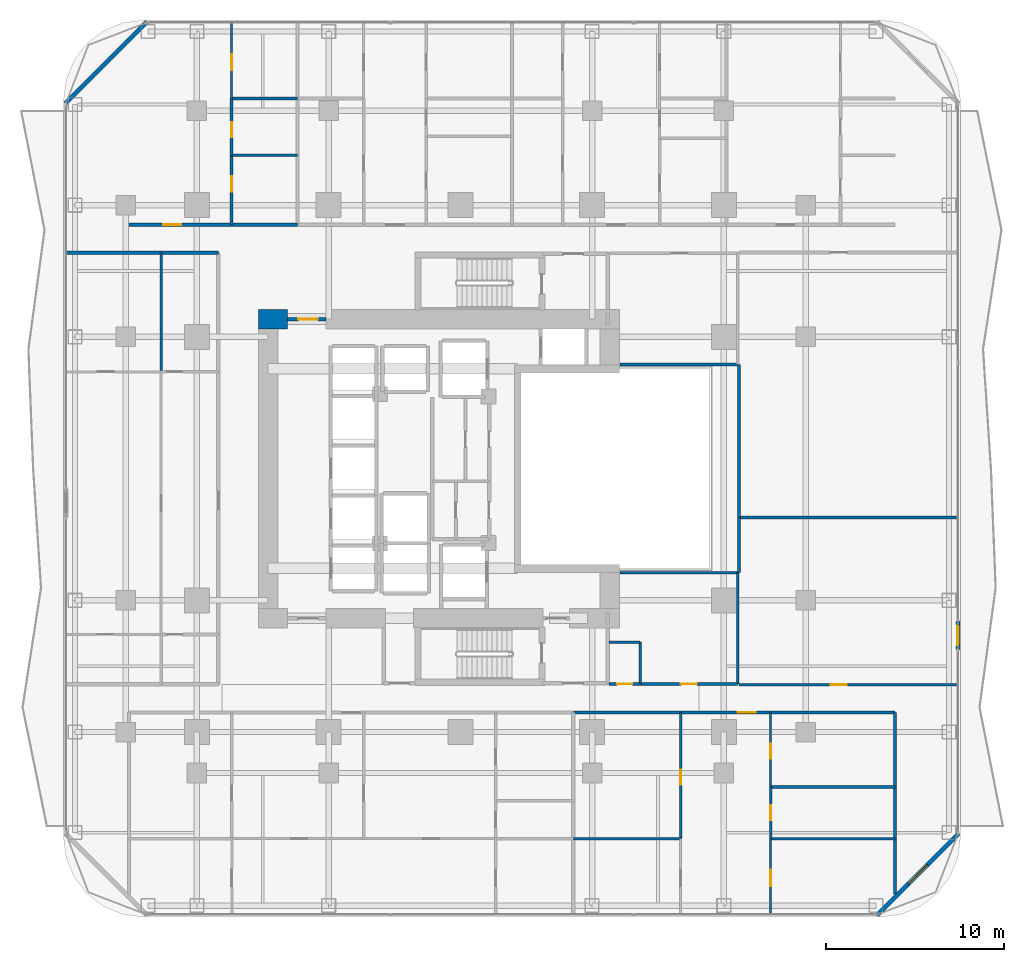
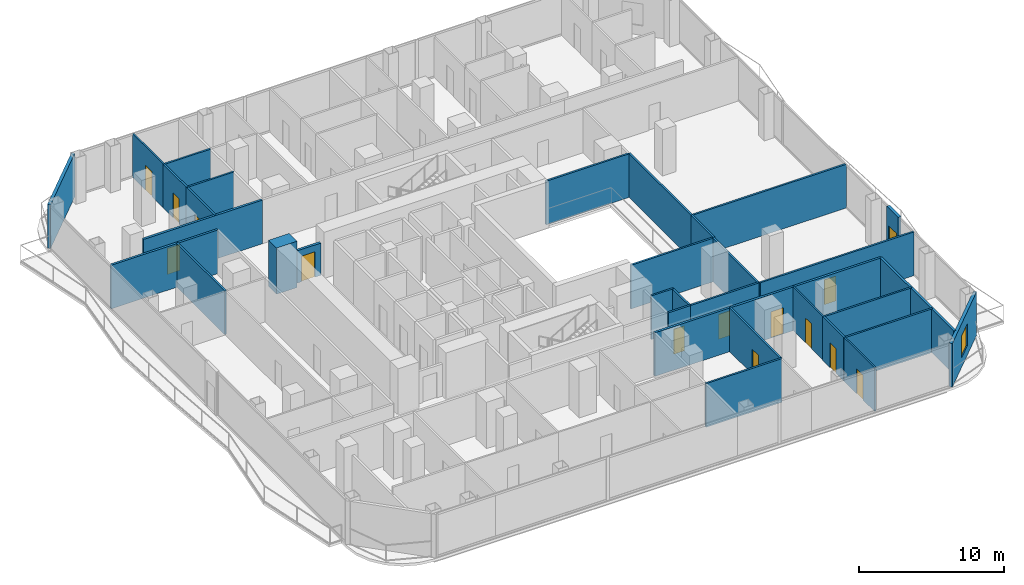
# One storey, part 22 of 27: 33 walls, 14 doors, 1 window, 15 openings.
"""IFC4 building model written with IfcOpenShell, lengths in metres."""

from ifc_helpers import new_model, si_unit, direction, frame, frame_2d, origin, place, context, subcontext, project, spatial, rectangle, extrude, material, layer, layer_set, type_object, element, fill, save


model = new_model("IFC4")

# Units and contexts
model_context = context("Model", 3, precision=1e-05, world=origin(), true_north=direction((0.0, 1.0)))
body_context = subcontext(model_context, "Body", "Model", "MODEL_VIEW")
ifc_project = project(units=[si_unit("LENGTHUNIT", "METRE"), si_unit("AREAUNIT", "SQUARE_METRE"), si_unit("VOLUMEUNIT", "CUBIC_METRE"), si_unit("PLANEANGLEUNIT", "RADIAN"), si_unit("MASSUNIT", "GRAM", prefix="KILO")], contexts=[model_context])

# Site, building, storey
site_placement = place(None, origin())
site = spatial("IfcSite", under=ifc_project, at=site_placement, CompositionType="ELEMENT")
building_placement = place(site_placement, origin())
building = spatial("IfcBuilding", under=site, at=building_placement, Name="Khorvyn Point Tower", CompositionType="ELEMENT")
storey_placement = place(building_placement, frame((0.0, 0.0, 46.199951171875)))
storey = spatial("IfcBuildingStorey", under=building, at=storey_placement, Name="L12", CompositionType="ELEMENT", Elevation=46.199951171875)

# Wall, opening, door
ifc_material_1 = material(Name="Double acoustic gypsum on twin steel stud", Category="steel")
ifc_layer_1 = layer(ifc_material_1, 0.179931640625)
ifc_layer_set_1 = layer_set([ifc_layer_1], Name="Acoustic Double-Stud Apartment Demising Wall 180")
wall_type_1 = type_object("IfcWallType", Name="Acoustic Double-Stud Apartment Demising Wall 180", PredefinedType="PARTITIONING", material=ifc_layer_set_1)
wall_1_placement = place(storey_placement, frame((-18.6201171875, 13.699951171875, 0.0), z_axis=(0.0, 0.0, 1.0), x_axis=(1.0, 0.0, 0.0)))
wall_1 = element("IfcWall", 1, at=wall_1_placement, inside=storey, type_object=wall_type_1, Name="Wall", PredefinedType="PARTITIONING", context=body_context, shape_type="SweptSolid", body=[
    extrude(rectangle(XDim=9.46923828125, YDim=0.179931640625, at=frame_2d((4.734619140625, 0.0))), origin(), (0.0, 0.0, 1.0), 3.679931640625),
])
opening_1_placement = place(wall_1_placement, frame((1.931396484375, 0.0, 0.0)))
opening_1 = element("IfcOpeningElement", 2, at=opening_1_placement, cuts=wall_1, Name="Opening ID-AP60", PredefinedType="OPENING", context=body_context, shape_type="SweptSolid", body=[
    extrude(rectangle(XDim=1.0, YDim=2.199951171875, at=frame_2d((0.5, 1.10009765625))), frame((0.0, 0.099853515625, 0.0), z_axis=(0.0, -1.0, 0.0), x_axis=(1.0, 0.0, 0.0)), (0.0, 0.0, 1.0), 0.199951171875),
])
ifc_material_2 = material(Name="Engineered hardwood fire-rated leaf", Category="wood")
door_type_1 = type_object("IfcDoorType", Name="Acoustic Solid-Core Timber Apartment Entrance Door 1000x2200", OperationType="NOTDEFINED", PredefinedType="DOOR", material=ifc_material_2)
door_1_placement = place(opening_1_placement, origin())
door_1 = element("IfcDoor", 3, at=door_1_placement, inside=storey, type_object=door_type_1, Name="Door", OperationType="SINGLE_SWING_LEFT", OverallHeight=2.199951171875, OverallWidth=1.0, PredefinedType="DOOR", context=body_context, shape_type="SweptSolid", body=[
    extrude(rectangle(XDim=1.0, YDim=2.199951171875, at=frame_2d((0.5, 1.10009765625))), frame((0.0, 0.02490234375, 0.0), z_axis=(0.0, -1.0, 0.0), x_axis=(1.0, 0.0, 0.0)), (0.0, 0.0, 1.0), 0.050048828125),
])
fill(opening_1, door_1)

wall_2_placement = place(storey_placement, frame((6.343017578125, -13.699951171875, 0.0), z_axis=(0.0, 0.0, 1.0), x_axis=(1.0, 0.0, 0.0)))
wall_2 = element("IfcWall", 4, at=wall_2_placement, inside=storey, type_object=wall_type_1, Name="Wall", PredefinedType="PARTITIONING", context=body_context, shape_type="SweptSolid", body=[
    extrude(rectangle(XDim=18.076904296875, YDim=0.179931640625, at=frame_2d((9.03857421875, 0.0))), origin(), (0.0, 0.0, 1.0), 3.679931640625),
])
opening_2_placement = place(wall_2_placement, frame((9.251708984375, 0.0, 0.0)))
opening_2 = element("IfcOpeningElement", 5, at=opening_2_placement, cuts=wall_2, Name="Opening ID-AP60", PredefinedType="OPENING", context=body_context, shape_type="SweptSolid", body=[
    extrude(rectangle(XDim=1.0, YDim=2.199951171875, at=frame_2d((0.5, 1.10009765625))), frame((0.0, 0.099853515625, 0.0), z_axis=(0.0, -1.0, 0.0), x_axis=(1.0, 0.0, 0.0)), (0.0, 0.0, 1.0), 0.199951171875),
])
door_2_placement = place(opening_2_placement, origin())
door_2 = element("IfcDoor", 6, at=door_2_placement, inside=storey, type_object=door_type_1, Name="Door", OperationType="SINGLE_SWING_RIGHT", OverallHeight=2.199951171875, OverallWidth=1.0, PredefinedType="DOOR", context=body_context, shape_type="SweptSolid", body=[
    extrude(rectangle(XDim=1.0, YDim=2.199951171875, at=frame_2d((0.5, 1.10009765625))), frame((0.0, 0.02490234375, 0.0), z_axis=(0.0, -1.0, 0.0), x_axis=(1.0, 0.0, 0.0)), (0.0, 0.0, 1.0), 0.050048828125),
])
fill(opening_2, door_2)

# Walls
wall_3_placement = place(storey_placement, frame((24.419921875, -23.909912109375, 0.0), z_axis=(0.0, 0.0, 1.0), x_axis=(0.0, 1.0, 0.0)))
element("IfcWall", 7, at=wall_3_placement, inside=storey, type_object=wall_type_1, Name="Wall", PredefinedType="PARTITIONING", context=body_context, shape_type="SweptSolid", body=[
    extrude(rectangle(XDim=10.2099609375, YDim=0.179931640625, at=frame_2d((5.10498046875, 0.0))), origin(), (0.0, 0.0, 1.0), 3.679931640625),
])
wall_4_placement = place(storey_placement, frame((-22.1298828125, 12.1201171875, 0.0), z_axis=(0.0, 0.0, 1.0), x_axis=(1.0, 0.0, 0.0)))
element("IfcWall", 8, at=wall_4_placement, inside=storey, type_object=wall_type_1, Name="Wall", PredefinedType="PARTITIONING", context=body_context, shape_type="SweptSolid", body=[
    extrude(rectangle(XDim=8.52978515625, YDim=0.179931640625, at=frame_2d((4.264892578125, 0.0))), origin(), (0.0, 0.0, 1.0), 3.679931640625),
])

# Wall, opening, door
ifc_material_3 = material(Name="Pale anodised aluminium rainscreen on steel stud", Category="steel")
ifc_layer_2 = layer(ifc_material_3, 0.239990234375)
ifc_layer_set_2 = layer_set([ifc_layer_2], Name="Anodised Aluminium Insulated Corner Spandrel Wall 240")
wall_type_2 = type_object("IfcWallType", Name="Anodised Aluminium Insulated Corner Spandrel Wall 240", PredefinedType="SOLIDWALL", material=ifc_layer_set_2)
wall_5_placement = place(storey_placement, frame((27.949951171875, -8.576904296875, 0.0), z_axis=(0.0, 0.0, 1.0), x_axis=(0.0, -1.0, 0.0)))
wall_5 = element("IfcWall", 9, at=wall_5_placement, inside=storey, type_object=wall_type_2, Name="L12 East Outdoor Threshold Wall", PredefinedType="SOLIDWALL", context=body_context, shape_type="SweptSolid", body=[
    extrude(rectangle(XDim=1.580078125, YDim=0.239990234375, at=frame_2d((0.7900390625, 0.0))), origin(), (0.0, 0.0, 1.0), 3.679931640625),
])
opening_3_placement = place(wall_5_placement, frame((0.239990234375, 0.0, 0.0)))
opening_3 = element("IfcOpeningElement", 10, at=opening_3_placement, cuts=wall_5, Name="Opening BD-1122", PredefinedType="OPENING", context=body_context, shape_type="SweptSolid", body=[
    extrude(rectangle(XDim=1.10009765625, YDim=2.199951171875, at=frame_2d((0.550048828125, 1.10009765625))), frame((0.0, 0.1298828125, 0.0), z_axis=(0.0, -1.0, 0.0), x_axis=(1.0, 0.0, 0.0)), (0.0, 0.0, 1.0), 0.260009765625),
])
ifc_material_4 = material(Name="Anodised aluminium 6063-T6 and laminated Low-E glass", Category="aluminium")
door_type_2 = type_object("IfcDoorType", Name="Glazed Balcony and Terrace Threshold Door 1100x2200", OperationType="NOTDEFINED", PredefinedType="DOOR", material=ifc_material_4)
door_3_placement = place(opening_3_placement, origin())
door_3 = element("IfcDoor", 11, at=door_3_placement, inside=storey, type_object=door_type_2, Name="L12 East Glazed Balcony Outdoor Door", OperationType="SINGLE_SWING_LEFT", OverallHeight=2.199951171875, OverallWidth=1.10009765625, PredefinedType="DOOR", context=body_context, shape_type="SweptSolid", body=[
    extrude(rectangle(XDim=1.10009765625, YDim=2.199951171875, at=frame_2d((0.550048828125, 1.10009765625))), frame((0.0, 0.02490234375, 0.0), z_axis=(0.0, -1.0, 0.0), x_axis=(1.0, 0.0, 0.0)), (0.0, 0.0, 1.0), 0.050048828125),
])
fill(opening_3, door_3)

# Wall
wall_6_placement = place(storey_placement, frame((-22.1923828125, 20.507568359375, 0.0), z_axis=(0.0, 0.0, 1.0), x_axis=(0.707106781187, 0.707106781187, 0.0)))
element("IfcWall", 12, at=wall_6_placement, inside=storey, type_object=wall_type_2, Name="L12 Rounded Corner Wall NW", PredefinedType="SOLIDWALL", context=body_context, shape_type="SweptSolid", body=[
    extrude(rectangle(XDim=6.48388671875, YDim=0.239990234375, at=frame_2d((3.241943359375, 0.0))), origin(), (0.0, 0.0, 1.0), 3.679931640625),
])

# Wall, opening, window
wall_7_placement = place(storey_placement, frame((27.992431640625, -20.507568359375, 0.0), z_axis=(0.0, 0.0, 1.0), x_axis=(-0.707106781187, -0.707106781187, 0.0)))
wall_7 = element("IfcWall", 13, at=wall_7_placement, inside=storey, type_object=wall_type_2, Name="L12 Rounded Corner Wall SE", PredefinedType="SOLIDWALL", context=body_context, shape_type="SweptSolid", body=[
    extrude(rectangle(XDim=6.48388671875, YDim=0.239990234375, at=frame_2d((3.241943359375, 0.0))), origin(), (0.0, 0.0, 1.0), 3.679931640625),
])
opening_4_placement = place(wall_7_placement, frame((2.491943359375, 0.0, 0.800048828125)))
opening_4 = element("IfcOpeningElement", 14, at=opening_4_placement, cuts=wall_7, Name="Opening WN-1518", PredefinedType="OPENING", context=body_context, shape_type="SweptSolid", body=[
    extrude(rectangle(XDim=1.5, YDim=1.85009765625, at=frame_2d((0.75, 0.925048828125))), frame((0.0, 0.1298828125, 0.0), z_axis=(0.0, -1.0, 0.0), x_axis=(1.0, 0.0, 0.0)), (0.0, 0.0, 1.0), 0.260009765625),
])
window_type = type_object("IfcWindowType", Name="Anodised Aluminium Rounded-Corner Panoramic Window 1500x1850", PartitioningType="SINGLE_PANEL", PredefinedType="WINDOW", material=ifc_material_4)
window_placement = place(opening_4_placement, origin())
window = element("IfcWindow", 15, at=window_placement, inside=storey, type_object=window_type, Name="L12 Corner Panoramic Window SE", OverallHeight=1.85009765625, OverallWidth=1.5, PartitioningType="SINGLE_PANEL", PredefinedType="WINDOW", context=body_context, shape_type="SweptSolid", body=[
    extrude(rectangle(XDim=1.5, YDim=1.85009765625, at=frame_2d((0.75, 0.925048828125))), frame((0.0, 0.030029296875, 0.0), z_axis=(0.0, -1.0, 0.0), x_axis=(1.0, 0.0, 0.0)), (0.0, 0.0, 1.0), 0.06005859375),
])
fill(opening_4, window)

# Wall, opening, door
ifc_material_5 = material(Name="Concrete C40/50", Category="concrete")
ifc_layer_3 = layer(ifc_material_5, 0.199951171875)
ifc_layer_set_3 = layer_set([ifc_layer_3], Name="Concrete C40/50 Fire-Lobby Compartment Wall 200")
wall_type_3 = type_object("IfcWallType", Name="Concrete C40/50 Fire-Lobby Compartment Wall 200", PredefinedType="SOLIDWALL", material=ifc_layer_set_3)
wall_8_placement = place(storey_placement, frame((-9.699951171875, 8.39990234375, 0.0), z_axis=(0.0, 0.0, 1.0), x_axis=(1.0, 0.0, 0.0)))
wall_8 = element("IfcWall", 16, at=wall_8_placement, inside=storey, type_object=wall_type_3, Name="Wall", PredefinedType="SOLIDWALL", context=body_context, shape_type="SweptSolid", body=[
    extrude(rectangle(XDim=2.14990234375, YDim=0.199951171875, at=frame_2d((1.074951171875, 0.0))), origin(), (0.0, 0.0, 1.0), 2.719970703125),
])
opening_5_placement = place(wall_8_placement, frame((0.597900390625, 0.0, 0.0)))
opening_5 = element("IfcOpeningElement", 17, at=opening_5_placement, cuts=wall_8, Name="Opening ID-FL90", PredefinedType="OPENING", context=body_context, shape_type="SweptSolid", body=[
    extrude(rectangle(XDim=1.10009765625, YDim=2.14990234375, at=frame_2d((0.550048828125, 1.074951171875))), frame((0.0, 0.10986328125, 0.0), z_axis=(0.0, -1.0, 0.0), x_axis=(1.0, 0.0, 0.0)), (0.0, 0.0, 1.0), 0.219970703125),
])
ifc_material_6 = material(Name="Galvanised powder-coated steel", Category="steel")
door_type_3 = type_object("IfcDoorType", Name="Fire-Rated Steel Lobby and Stair Door 1100x2150", OperationType="NOTDEFINED", PredefinedType="DOOR", material=ifc_material_6)
door_4_placement = place(opening_5_placement, origin())
door_4 = element("IfcDoor", 18, at=door_4_placement, inside=storey, type_object=door_type_3, Name="Door", OperationType="SINGLE_SWING_RIGHT", OverallHeight=2.14990234375, OverallWidth=1.10009765625, PredefinedType="DOOR", context=body_context, shape_type="SweptSolid", body=[
    extrude(rectangle(XDim=1.10009765625, YDim=2.14990234375, at=frame_2d((0.550048828125, 1.074951171875))), frame((0.0, 0.02490234375, 0.0), z_axis=(0.0, -1.0, 0.0), x_axis=(1.0, 0.0, 0.0)), (0.0, 0.0, 1.0), 0.050048828125),
])
fill(opening_5, door_4)

# Wall
ifc_material_7 = material(Name="Concrete C50/60", Category="concrete")
ifc_layer_4 = layer(ifc_material_7, 1.10009765625)
ifc_layer_set_4 = layer_set([ifc_layer_4], Name="Concrete C50/60 Core Shear Wall 1100")
wall_type_4 = type_object("IfcWallType", Name="Concrete C50/60 Core Shear Wall 1100", PredefinedType="SHEAR", material=ifc_layer_set_4)
wall_9_placement = place(storey_placement, frame((-11.35009765625, 8.39990234375, 0.0), z_axis=(0.0, 0.0, 1.0), x_axis=(1.0, 0.0, 0.0)))
element("IfcWall", 19, at=wall_9_placement, inside=storey, type_object=wall_type_4, Name="Wall", PredefinedType="SHEAR", context=body_context, shape_type="SweptSolid", body=[
    extrude(rectangle(XDim=1.650146484375, YDim=1.10009765625, at=frame_2d((0.8251953125, 0.0))), origin(), (0.0, 0.0, 1.0), 3.900146484375),
])

# Wall, opening, door
ifc_material_8 = material(Name="Gypsum plasterboard on steel stud", Category="steel")
ifc_layer_5 = layer(ifc_material_8, 0.1201171875)
ifc_layer_set_5 = layer_set([ifc_layer_5], Name="Gypsum Acoustic Stud Room Partition Wall 120")
wall_type_5 = type_object("IfcWallType", Name="Gypsum Acoustic Stud Room Partition Wall 120", PredefinedType="PARTITIONING", material=ifc_layer_set_5)
wall_10_placement = place(storey_placement, frame((-12.85400390625, 20.7900390625, 0.0), z_axis=(0.0, 0.0, 1.0), x_axis=(0.0, 1.0, 0.0)))
wall_10 = element("IfcWall", 20, at=wall_10_placement, inside=storey, type_object=wall_type_5, Name="Wall", PredefinedType="PARTITIONING", context=body_context, shape_type="SweptSolid", body=[
    extrude(rectangle(XDim=4.239990234375, YDim=0.1201171875, at=frame_2d((2.1201171875, 0.0))), origin(), (0.0, 0.0, 1.0), 3.679931640625),
])
opening_6_placement = place(wall_10_placement, frame((1.581298828125, 0.0, 0.0)))
opening_6 = element("IfcOpeningElement", 21, at=opening_6_placement, cuts=wall_10, Name="Opening ID-RM90", PredefinedType="OPENING", context=body_context, shape_type="SweptSolid", body=[
    extrude(rectangle(XDim=0.89990234375, YDim=2.10009765625, at=frame_2d((0.449951171875, 1.050048828125))), frame((0.0, 0.070068359375, 0.0), z_axis=(0.0, -1.0, 0.0), x_axis=(1.0, 0.0, 0.0)), (0.0, 0.0, 1.0), 0.14013671875),
])
ifc_material_9 = material(Name="Engineered oak veneer timber", Category="wood")
door_type_4 = type_object("IfcDoorType", Name="Flush Engineered Timber Room Door 900x2100", OperationType="NOTDEFINED", PredefinedType="DOOR", material=ifc_material_9)
door_5_placement = place(opening_6_placement, origin())
door_5 = element("IfcDoor", 22, at=door_5_placement, inside=storey, type_object=door_type_4, Name="Door", OperationType="SINGLE_SWING_RIGHT", OverallHeight=2.10009765625, OverallWidth=0.89990234375, PredefinedType="DOOR", context=body_context, shape_type="SweptSolid", body=[
    extrude(rectangle(XDim=0.89990234375, YDim=2.10009765625, at=frame_2d((0.449951171875, 1.050048828125))), frame((0.0, 0.02490234375, 0.0), z_axis=(0.0, -1.0, 0.0), x_axis=(1.0, 0.0, 0.0)), (0.0, 0.0, 1.0), 0.050048828125),
])
fill(opening_6, door_5)

wall_11_placement = place(storey_placement, frame((17.427978515625, -17.883056640625, 0.0), z_axis=(0.0, 0.0, 1.0), x_axis=(0.0, 1.0, 0.0)))
wall_11 = element("IfcWall", 23, at=wall_11_placement, inside=storey, type_object=wall_type_5, Name="Wall", PredefinedType="PARTITIONING", context=body_context, shape_type="SweptSolid", body=[
    extrude(rectangle(XDim=4.18310546875, YDim=0.1201171875, at=frame_2d((2.091552734375, 0.0))), origin(), (0.0, 0.0, 1.0), 3.679931640625),
])
opening_7_placement = place(wall_11_placement, frame((1.577880859375, 0.0, 0.0)))
opening_7 = element("IfcOpeningElement", 24, at=opening_7_placement, cuts=wall_11, Name="Opening ID-WC85", PredefinedType="OPENING", context=body_context, shape_type="SweptSolid", body=[
    extrude(rectangle(XDim=0.85009765625, YDim=2.10009765625, at=frame_2d((0.425048828125, 1.050048828125))), frame((0.0, 0.070068359375, 0.0), z_axis=(0.0, -1.0, 0.0), x_axis=(1.0, 0.0, 0.0)), (0.0, 0.0, 1.0), 0.14013671875),
])
ifc_material_10 = material(Name="High-pressure laminate on moisture-resistant core", Category="wood")
door_type_5 = type_object("IfcDoorType", Name="Moisture-Resistant Accessible Washroom Door 850x2100", OperationType="NOTDEFINED", PredefinedType="DOOR", material=ifc_material_10)
door_6_placement = place(opening_7_placement, origin())
door_6 = element("IfcDoor", 25, at=door_6_placement, inside=storey, type_object=door_type_5, Name="Door", OperationType="SINGLE_SWING_RIGHT", OverallHeight=2.10009765625, OverallWidth=0.85009765625, PredefinedType="DOOR", context=body_context, shape_type="SweptSolid", body=[
    extrude(rectangle(XDim=0.85009765625, YDim=2.10009765625, at=frame_2d((0.425048828125, 1.050048828125))), frame((0.0, 0.02490234375, 0.0), z_axis=(0.0, -1.0, 0.0), x_axis=(1.0, 0.0, 0.0)), (0.0, 0.0, 1.0), 0.050048828125),
])
fill(opening_7, door_6)

wall_12_placement = place(storey_placement, frame((17.427978515625, -25.030029296875, 0.0), z_axis=(0.0, 0.0, 1.0), x_axis=(0.0, 1.0, 0.0)))
wall_12 = element("IfcWall", 26, at=wall_12_placement, inside=storey, type_object=wall_type_5, Name="Wall", PredefinedType="PARTITIONING", context=body_context, shape_type="SweptSolid", body=[
    extrude(rectangle(XDim=4.239990234375, YDim=0.1201171875, at=frame_2d((2.1201171875, 0.0))), origin(), (0.0, 0.0, 1.0), 3.679931640625),
])
opening_8_placement = place(wall_12_placement, frame((1.581298828125, 0.0, 0.0)))
opening_8 = element("IfcOpeningElement", 27, at=opening_8_placement, cuts=wall_12, Name="Opening ID-RM90", PredefinedType="OPENING", context=body_context, shape_type="SweptSolid", body=[
    extrude(rectangle(XDim=0.89990234375, YDim=2.10009765625, at=frame_2d((0.449951171875, 1.050048828125))), frame((0.0, 0.070068359375, 0.0), z_axis=(0.0, -1.0, 0.0), x_axis=(1.0, 0.0, 0.0)), (0.0, 0.0, 1.0), 0.14013671875),
])
door_7_placement = place(opening_8_placement, origin())
door_7 = element("IfcDoor", 28, at=door_7_placement, inside=storey, type_object=door_type_4, Name="Door", OperationType="SINGLE_SWING_LEFT", OverallHeight=2.10009765625, OverallWidth=0.89990234375, PredefinedType="DOOR", context=body_context, shape_type="SweptSolid", body=[
    extrude(rectangle(XDim=0.89990234375, YDim=2.10009765625, at=frame_2d((0.449951171875, 1.050048828125))), frame((0.0, 0.02490234375, 0.0), z_axis=(0.0, -1.0, 0.0), x_axis=(1.0, 0.0, 0.0)), (0.0, 0.0, 1.0), 0.050048828125),
])
fill(opening_8, door_7)

ifc_material_11 = material(Name="Moisture-resistant gypsum and cement board", Category="gypsum")
ifc_layer_6 = layer(ifc_material_11, 0.14990234375)
ifc_layer_set_6 = layer_set([ifc_layer_6], Name="Moisture-Resistant Wet-Room Partition Wall 150")
wall_type_6 = type_object("IfcWallType", Name="Moisture-Resistant Wet-Room Partition Wall 150", PredefinedType="PARTITIONING", material=ifc_layer_set_6)
wall_13_placement = place(storey_placement, frame((8.360107421875, -12.10009765625, 0.0), z_axis=(0.0, 0.0, 1.0), x_axis=(1.0, 0.0, 0.0)))
wall_13 = element("IfcWall", 29, at=wall_13_placement, inside=storey, type_object=wall_type_6, Name="Wall", PredefinedType="PARTITIONING", context=body_context, shape_type="SweptSolid", body=[
    extrude(rectangle(XDim=1.739990234375, YDim=0.14990234375, at=frame_2d((0.8701171875, 0.0))), origin(), (0.0, 0.0, 1.0), 3.679931640625),
])
opening_9_placement = place(wall_13_placement, frame((0.445068359375, 0.0, 0.0)))
opening_9 = element("IfcOpeningElement", 30, at=opening_9_placement, cuts=wall_13, Name="Opening ID-WC85", PredefinedType="OPENING", context=body_context, shape_type="SweptSolid", body=[
    extrude(rectangle(XDim=0.85009765625, YDim=2.10009765625, at=frame_2d((0.425048828125, 1.050048828125))), frame((0.0, 0.0849609375, 0.0), z_axis=(0.0, -1.0, 0.0), x_axis=(1.0, 0.0, 0.0)), (0.0, 0.0, 1.0), 0.169921875),
])
door_8_placement = place(opening_9_placement, origin())
door_8 = element("IfcDoor", 31, at=door_8_placement, inside=storey, type_object=door_type_5, Name="Door", OperationType="SINGLE_SWING_RIGHT", OverallHeight=2.10009765625, OverallWidth=0.85009765625, PredefinedType="DOOR", context=body_context, shape_type="SweptSolid", body=[
    extrude(rectangle(XDim=0.85009765625, YDim=2.10009765625, at=frame_2d((0.425048828125, 1.050048828125))), frame((0.0, 0.02490234375, 0.0), z_axis=(0.0, -1.0, 0.0), x_axis=(1.0, 0.0, 0.0)), (0.0, 0.0, 1.0), 0.050048828125),
])
fill(opening_9, door_8)

wall_14_placement = place(storey_placement, frame((10.10009765625, -12.10009765625, 0.0), z_axis=(0.0, 0.0, 1.0), x_axis=(1.0, 0.0, 0.0)))
wall_14 = element("IfcWall", 32, at=wall_14_placement, inside=storey, type_object=wall_type_6, Name="Wall", PredefinedType="PARTITIONING", context=body_context, shape_type="SweptSolid", body=[
    extrude(rectangle(XDim=5.47998046875, YDim=0.14990234375, at=frame_2d((2.739990234375, 0.0))), origin(), (0.0, 0.0, 1.0), 3.679931640625),
])
opening_10_placement = place(wall_14_placement, frame((2.2900390625, 0.0, 0.0)))
opening_10 = element("IfcOpeningElement", 33, at=opening_10_placement, cuts=wall_14, Name="Opening ID-RM90", PredefinedType="OPENING", context=body_context, shape_type="SweptSolid", body=[
    extrude(rectangle(XDim=0.89990234375, YDim=2.10009765625, at=frame_2d((0.449951171875, 1.050048828125))), frame((0.0, 0.0849609375, 0.0), z_axis=(0.0, -1.0, 0.0), x_axis=(1.0, 0.0, 0.0)), (0.0, 0.0, 1.0), 0.169921875),
])
door_9_placement = place(opening_10_placement, origin())
door_9 = element("IfcDoor", 34, at=door_9_placement, inside=storey, type_object=door_type_4, Name="Door", OperationType="SINGLE_SWING_LEFT", OverallHeight=2.10009765625, OverallWidth=0.89990234375, PredefinedType="DOOR", context=body_context, shape_type="SweptSolid", body=[
    extrude(rectangle(XDim=0.89990234375, YDim=2.10009765625, at=frame_2d((0.449951171875, 1.050048828125))), frame((0.0, 0.02490234375, 0.0), z_axis=(0.0, -1.0, 0.0), x_axis=(1.0, 0.0, 0.0)), (0.0, 0.0, 1.0), 0.050048828125),
])
fill(opening_10, door_9)

wall_15_placement = place(storey_placement, frame((-12.85400390625, 13.699951171875, 0.0), z_axis=(0.0, 0.0, 1.0), x_axis=(0.0, 1.0, 0.0)))
wall_15 = element("IfcWall", 35, at=wall_15_placement, inside=storey, type_object=wall_type_6, Name="Wall", PredefinedType="PARTITIONING", context=body_context, shape_type="SweptSolid", body=[
    extrude(rectangle(XDim=3.899169921875, YDim=0.14990234375, at=frame_2d((1.94970703125, 0.0))), origin(), (0.0, 0.0, 1.0), 3.679931640625),
])
opening_11_placement = place(wall_15_placement, frame((1.865478515625, 0.0, 0.0)))
opening_11 = element("IfcOpeningElement", 36, at=opening_11_placement, cuts=wall_15, Name="Opening ID-WC85", PredefinedType="OPENING", context=body_context, shape_type="SweptSolid", body=[
    extrude(rectangle(XDim=0.85009765625, YDim=2.10009765625, at=frame_2d((0.425048828125, 1.050048828125))), frame((0.0, 0.0849609375, 0.0), z_axis=(0.0, -1.0, 0.0), x_axis=(1.0, 0.0, 0.0)), (0.0, 0.0, 1.0), 0.169921875),
])
door_10_placement = place(opening_11_placement, origin())
door_10 = element("IfcDoor", 37, at=door_10_placement, inside=storey, type_object=door_type_5, Name="Door", OperationType="SINGLE_SWING_RIGHT", OverallHeight=2.10009765625, OverallWidth=0.85009765625, PredefinedType="DOOR", context=body_context, shape_type="SweptSolid", body=[
    extrude(rectangle(XDim=0.85009765625, YDim=2.10009765625, at=frame_2d((0.425048828125, 1.050048828125))), frame((0.0, 0.02490234375, 0.0), z_axis=(0.0, -1.0, 0.0), x_axis=(1.0, 0.0, 0.0)), (0.0, 0.0, 1.0), 0.050048828125),
])
fill(opening_11, door_10)

wall_16_placement = place(storey_placement, frame((-12.85400390625, 17.59912109375, 0.0), z_axis=(0.0, 0.0, 1.0), x_axis=(0.0, 1.0, 0.0)))
wall_16 = element("IfcWall", 38, at=wall_16_placement, inside=storey, type_object=wall_type_6, Name="Wall", PredefinedType="PARTITIONING", context=body_context, shape_type="SweptSolid", body=[
    extrude(rectangle(XDim=3.19091796875, YDim=0.14990234375, at=frame_2d((1.595458984375, 0.0))), origin(), (0.0, 0.0, 1.0), 3.679931640625),
])
opening_12_placement = place(wall_16_placement, frame((1.002197265625, 0.0, 0.0)))
opening_12 = element("IfcOpeningElement", 39, at=opening_12_placement, cuts=wall_16, Name="Opening ID-WC85", PredefinedType="OPENING", context=body_context, shape_type="SweptSolid", body=[
    extrude(rectangle(XDim=0.85009765625, YDim=2.10009765625, at=frame_2d((0.425048828125, 1.050048828125))), frame((0.0, 0.0849609375, 0.0), z_axis=(0.0, -1.0, 0.0), x_axis=(1.0, 0.0, 0.0)), (0.0, 0.0, 1.0), 0.169921875),
])
door_11_placement = place(opening_12_placement, origin())
door_11 = element("IfcDoor", 40, at=door_11_placement, inside=storey, type_object=door_type_5, Name="Door", OperationType="SINGLE_SWING_LEFT", OverallHeight=2.10009765625, OverallWidth=0.85009765625, PredefinedType="DOOR", context=body_context, shape_type="SweptSolid", body=[
    extrude(rectangle(XDim=0.85009765625, YDim=2.10009765625, at=frame_2d((0.425048828125, 1.050048828125))), frame((0.0, 0.02490234375, 0.0), z_axis=(0.0, -1.0, 0.0), x_axis=(1.0, 0.0, 0.0)), (0.0, 0.0, 1.0), 0.050048828125),
])
fill(opening_12, door_11)

wall_17_placement = place(storey_placement, frame((12.375, -20.7900390625, 0.0), z_axis=(0.0, 0.0, 1.0), x_axis=(0.0, 1.0, 0.0)))
wall_17 = element("IfcWall", 41, at=wall_17_placement, inside=storey, type_object=wall_type_6, Name="Wall", PredefinedType="PARTITIONING", context=body_context, shape_type="SweptSolid", body=[
    extrude(rectangle(XDim=7.090087890625, YDim=0.14990234375, at=frame_2d((3.544921875, 0.0))), origin(), (0.0, 0.0, 1.0), 3.679931640625),
])
opening_13_placement = place(wall_17_placement, frame((3.0302734375, 0.0, 0.0)))
opening_13 = element("IfcOpeningElement", 42, at=opening_13_placement, cuts=wall_17, Name="Opening ID-WC85", PredefinedType="OPENING", context=body_context, shape_type="SweptSolid", body=[
    extrude(rectangle(XDim=0.85009765625, YDim=2.10009765625, at=frame_2d((0.425048828125, 1.050048828125))), frame((0.0, 0.0849609375, 0.0), z_axis=(0.0, -1.0, 0.0), x_axis=(1.0, 0.0, 0.0)), (0.0, 0.0, 1.0), 0.169921875),
])
door_12_placement = place(opening_13_placement, origin())
door_12 = element("IfcDoor", 43, at=door_12_placement, inside=storey, type_object=door_type_5, Name="Door", OperationType="SINGLE_SWING_LEFT", OverallHeight=2.10009765625, OverallWidth=0.85009765625, PredefinedType="DOOR", context=body_context, shape_type="SweptSolid", body=[
    extrude(rectangle(XDim=0.85009765625, YDim=2.10009765625, at=frame_2d((0.425048828125, 1.050048828125))), frame((0.0, 0.02490234375, 0.0), z_axis=(0.0, -1.0, 0.0), x_axis=(1.0, 0.0, 0.0)), (0.0, 0.0, 1.0), 0.050048828125),
])
fill(opening_13, door_12)

wall_18_placement = place(storey_placement, frame((17.427978515625, -20.7900390625, 0.0), z_axis=(0.0, 0.0, 1.0), x_axis=(0.0, 1.0, 0.0)))
wall_18 = element("IfcWall", 44, at=wall_18_placement, inside=storey, type_object=wall_type_6, Name="Wall", PredefinedType="PARTITIONING", context=body_context, shape_type="SweptSolid", body=[
    extrude(rectangle(XDim=2.906982421875, YDim=0.14990234375, at=frame_2d((1.45361328125, 0.0))), origin(), (0.0, 0.0, 1.0), 3.679931640625),
])
opening_14_placement = place(wall_18_placement, frame((1.028564453125, 0.0, 0.0)))
opening_14 = element("IfcOpeningElement", 45, at=opening_14_placement, cuts=wall_18, Name="Opening ID-WC85", PredefinedType="OPENING", context=body_context, shape_type="SweptSolid", body=[
    extrude(rectangle(XDim=0.85009765625, YDim=2.10009765625, at=frame_2d((0.425048828125, 1.050048828125))), frame((0.0, 0.0849609375, 0.0), z_axis=(0.0, -1.0, 0.0), x_axis=(1.0, 0.0, 0.0)), (0.0, 0.0, 1.0), 0.169921875),
])
door_13_placement = place(opening_14_placement, origin())
door_13 = element("IfcDoor", 46, at=door_13_placement, inside=storey, type_object=door_type_5, Name="Door", OperationType="SINGLE_SWING_LEFT", OverallHeight=2.10009765625, OverallWidth=0.85009765625, PredefinedType="DOOR", context=body_context, shape_type="SweptSolid", body=[
    extrude(rectangle(XDim=0.85009765625, YDim=2.10009765625, at=frame_2d((0.425048828125, 1.050048828125))), frame((0.0, 0.02490234375, 0.0), z_axis=(0.0, -1.0, 0.0), x_axis=(1.0, 0.0, 0.0)), (0.0, 0.0, 1.0), 0.050048828125),
])
fill(opening_14, door_13)

wall_19_placement = place(storey_placement, frame((15.64990234375, -12.139892578125, 0.0), z_axis=(0.0, 0.0, 1.0), x_axis=(1.0, 0.0, 0.0)))
wall_19 = element("IfcWall", 47, at=wall_19_placement, inside=storey, type_object=wall_type_6, Name="Wall", PredefinedType="PARTITIONING", context=body_context, shape_type="SweptSolid", body=[
    extrude(rectangle(XDim=12.27001953125, YDim=0.14990234375, at=frame_2d((6.135009765625, 0.0))), origin(), (0.0, 0.0, 1.0), 3.679931640625),
])
opening_15_placement = place(wall_19_placement, frame((5.150390625, 0.0, 0.0)))
opening_15 = element("IfcOpeningElement", 48, at=opening_15_placement, cuts=wall_19, Name="Opening ID-RM90", PredefinedType="OPENING", context=body_context, shape_type="SweptSolid", body=[
    extrude(rectangle(XDim=0.89990234375, YDim=2.10009765625, at=frame_2d((0.449951171875, 1.050048828125))), frame((0.0, 0.0849609375, 0.0), z_axis=(0.0, -1.0, 0.0), x_axis=(1.0, 0.0, 0.0)), (0.0, 0.0, 1.0), 0.169921875),
])
door_14_placement = place(opening_15_placement, origin())
door_14 = element("IfcDoor", 49, at=door_14_placement, inside=storey, type_object=door_type_4, Name="Door", OperationType="SINGLE_SWING_RIGHT", OverallHeight=2.10009765625, OverallWidth=0.89990234375, PredefinedType="DOOR", context=body_context, shape_type="SweptSolid", body=[
    extrude(rectangle(XDim=0.89990234375, YDim=2.10009765625, at=frame_2d((0.449951171875, 1.050048828125))), frame((0.0, 0.02490234375, 0.0), z_axis=(0.0, -1.0, 0.0), x_axis=(1.0, 0.0, 0.0)), (0.0, 0.0, 1.0), 0.050048828125),
])
fill(opening_15, door_14)

# Walls
wall_20_placement = place(storey_placement, frame((8.360107421875, -9.75, 0.0), z_axis=(0.0, 0.0, 1.0), x_axis=(1.0, 0.0, 0.0)))
element("IfcWall", 50, at=wall_20_placement, inside=storey, type_object=wall_type_6, Name="Wall", PredefinedType="PARTITIONING", context=body_context, shape_type="SweptSolid", body=[
    extrude(rectangle(XDim=1.739990234375, YDim=0.14990234375, at=frame_2d((0.8701171875, 0.0))), origin(), (0.0, 0.0, 1.0), 3.679931640625),
])
wall_21_placement = place(storey_placement, frame((10.10009765625, -12.10009765625, 0.0), z_axis=(0.0, 0.0, 1.0), x_axis=(0.0, 1.0, 0.0)))
element("IfcWall", 51, at=wall_21_placement, inside=storey, type_object=wall_type_6, Name="Wall", PredefinedType="PARTITIONING", context=body_context, shape_type="SweptSolid", body=[
    extrude(rectangle(XDim=2.35009765625, YDim=0.14990234375, at=frame_2d((1.175048828125, 0.0))), origin(), (0.0, 0.0, 1.0), 3.679931640625),
])
wall_22_placement = place(storey_placement, frame((15.580078125, -12.10009765625, 0.0), z_axis=(0.0, 0.0, 1.0), x_axis=(0.0, 1.0, 0.0)))
element("IfcWall", 52, at=wall_22_placement, inside=storey, type_object=wall_type_6, Name="Wall", PredefinedType="PARTITIONING", context=body_context, shape_type="SweptSolid", body=[
    extrude(rectangle(XDim=6.25, YDim=0.14990234375, at=frame_2d((3.125, 0.0))), origin(), (0.0, 0.0, 1.0), 3.679931640625),
])
for number, where, z_axis, x_axis, name in (
    (53, (8.9599609375, -5.85009765625, 0.0), (0.0, 0.0, 1.0), (1.0, 0.0, 0.0), "Wall"),
    (54, (8.9599609375, 5.85009765625, 0.0), (0.0, 0.0, 1.0), (1.0, 0.0, 0.0), "Wall"),
):
    element("IfcWall", number, at=place(storey_placement, frame(where, z_axis=z_axis, x_axis=x_axis)), inside=storey, type_object=wall_type_6, Name=name, PredefinedType="PARTITIONING", context=body_context, shape_type="SweptSolid", body=[
        extrude(rectangle(XDim=6.6201171875, YDim=0.14990234375, at=frame_2d((3.31005859375, 0.0))), origin(), (0.0, 0.0, 1.0), 3.679931640625),
    ])
for number, where, z_axis, x_axis, name in (
    (55, (-12.85400390625, 17.59912109375, 0.0), (0.0, 0.0, 1.0), (1.0, 0.0, 0.0), "Wall"),
    (56, (-12.85400390625, 20.7900390625, 0.0), (0.0, 0.0, 1.0), (1.0, 0.0, 0.0), "Wall"),
):
    element("IfcWall", number, at=place(storey_placement, frame(where, z_axis=z_axis, x_axis=x_axis)), inside=storey, type_object=wall_type_6, Name=name, PredefinedType="PARTITIONING", context=body_context, shape_type="SweptSolid", body=[
        extrude(rectangle(XDim=3.703125, YDim=0.14990234375, at=frame_2d((1.8515625, 0.0))), origin(), (0.0, 0.0, 1.0), 3.679931640625),
    ])
wall_23_placement = place(storey_placement, frame((6.343017578125, -20.7900390625, 0.0), z_axis=(0.0, 0.0, 1.0), x_axis=(1.0, 0.0, 0.0)))
element("IfcWall", 57, at=wall_23_placement, inside=storey, type_object=wall_type_6, Name="Wall", PredefinedType="PARTITIONING", context=body_context, shape_type="SweptSolid", body=[
    extrude(rectangle(XDim=6.031982421875, YDim=0.14990234375, at=frame_2d((3.01611328125, 0.0))), origin(), (0.0, 0.0, 1.0), 3.679931640625),
])
for number, where, z_axis, x_axis, name in (
    (58, (17.427978515625, -17.883056640625, 0.0), (0.0, 0.0, 1.0), (1.0, 0.0, 0.0), "Wall"),
    (59, (17.427978515625, -20.7900390625, 0.0), (0.0, 0.0, 1.0), (1.0, 0.0, 0.0), "Wall"),
):
    element("IfcWall", number, at=place(storey_placement, frame(where, z_axis=z_axis, x_axis=x_axis)), inside=storey, type_object=wall_type_6, Name=name, PredefinedType="PARTITIONING", context=body_context, shape_type="SweptSolid", body=[
        extrude(rectangle(XDim=6.991943359375, YDim=0.14990234375, at=frame_2d((3.49609375, 0.0))), origin(), (0.0, 0.0, 1.0), 3.679931640625),
    ])
wall_24_placement = place(storey_placement, frame((-16.80810546875, 5.43603515625, 0.0), z_axis=(0.0, 0.0, 1.0), x_axis=(0.0, 1.0, 0.0)))
element("IfcWall", 60, at=wall_24_placement, inside=storey, type_object=wall_type_6, Name="Wall", PredefinedType="PARTITIONING", context=body_context, shape_type="SweptSolid", body=[
    extrude(rectangle(XDim=6.68408203125, YDim=0.14990234375, at=frame_2d((3.342041015625, 0.0))), origin(), (0.0, 0.0, 1.0), 3.679931640625),
])
wall_25_placement = place(storey_placement, frame((15.64990234375, -5.85009765625, 0.0), z_axis=(0.0, 0.0, 1.0), x_axis=(0.0, 1.0, 0.0)))
element("IfcWall", 61, at=wall_25_placement, inside=storey, type_object=wall_type_6, Name="Wall", PredefinedType="PARTITIONING", context=body_context, shape_type="SweptSolid", body=[
    extrude(rectangle(XDim=3.10009765625, YDim=0.14990234375, at=frame_2d((1.550048828125, 0.0))), origin(), (0.0, 0.0, 1.0), 3.679931640625),
])
wall_26_placement = place(storey_placement, frame((15.64990234375, -2.75, 0.0), z_axis=(0.0, 0.0, 1.0), x_axis=(0.0, 1.0, 0.0)))
element("IfcWall", 62, at=wall_26_placement, inside=storey, type_object=wall_type_6, Name="Wall", PredefinedType="PARTITIONING", context=body_context, shape_type="SweptSolid", body=[
    extrude(rectangle(XDim=8.60009765625, YDim=0.14990234375, at=frame_2d((4.300048828125, 0.0))), origin(), (0.0, 0.0, 1.0), 3.679931640625),
])
wall_27_placement = place(storey_placement, frame((15.64990234375, -2.75, 0.0), z_axis=(0.0, 0.0, 1.0), x_axis=(1.0, 0.0, 0.0)))
element("IfcWall", 63, at=wall_27_placement, inside=storey, type_object=wall_type_6, Name="Wall", PredefinedType="PARTITIONING", context=body_context, shape_type="SweptSolid", body=[
    extrude(rectangle(XDim=12.280029296875, YDim=0.14990234375, at=frame_2d((6.14013671875, 0.0))), origin(), (0.0, 0.0, 1.0), 3.679931640625),
])

save(model, "model.ifc")
